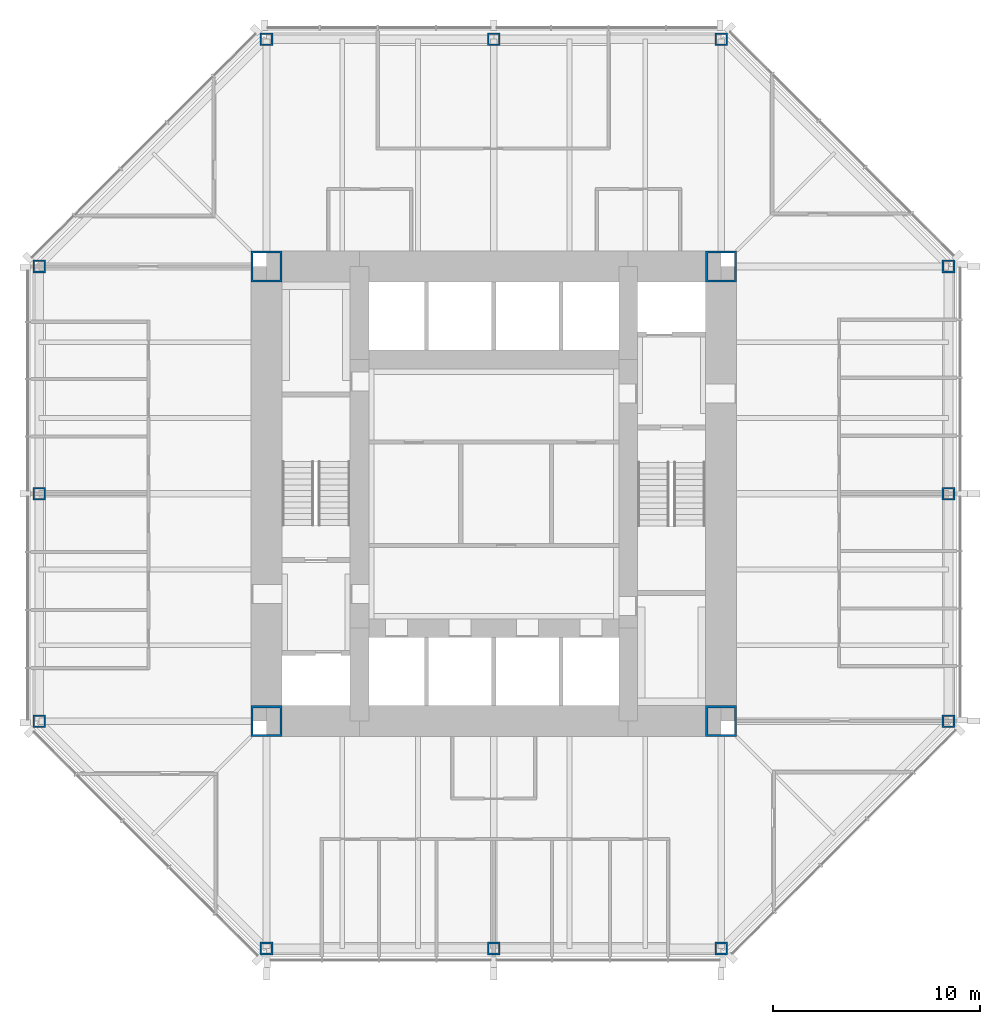
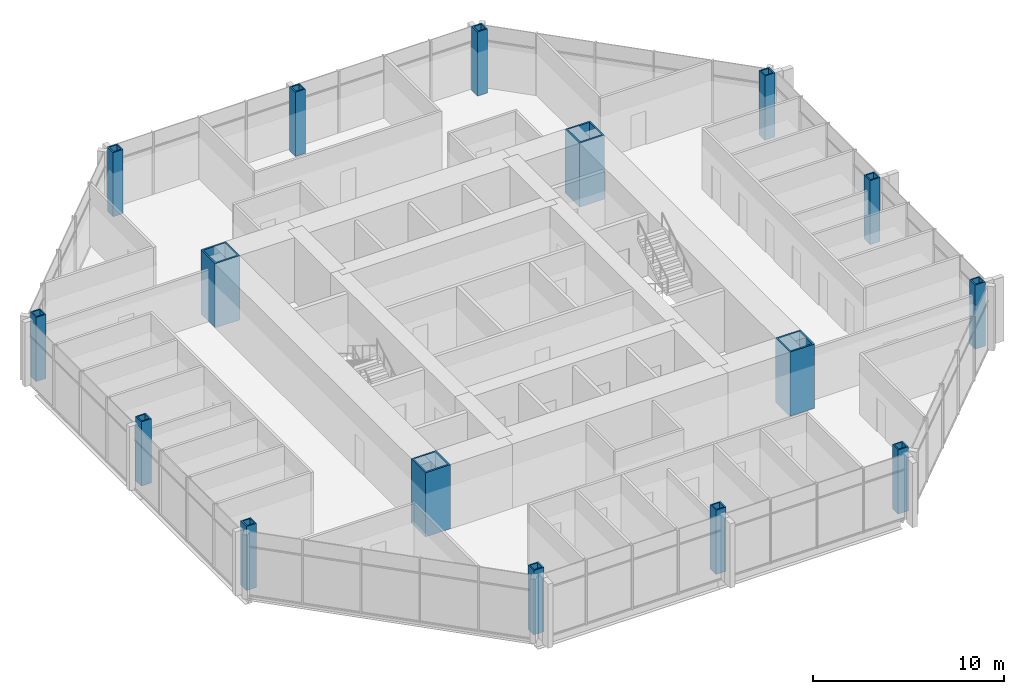
# One storey, part 1 of 12: 16 columns.
"""IFC4 building model written with IfcOpenShell, lengths in metres."""

from ifc_helpers import new_model, si_unit, direction, frame, origin, origin_2d, place, context, subcontext, project, spatial, hollow_rectangle, extrude, material, material_profile, profile_set, type_object, element, save


model = new_model("IFC4")

# Units and contexts
model_context = context("Model", 3, precision=1e-05, world=origin(), true_north=direction((0.0, 1.0)))
body_context = subcontext(model_context, "Body", "Model", "MODEL_VIEW")
ifc_project = project(units=[si_unit("LENGTHUNIT", "METRE"), si_unit("AREAUNIT", "SQUARE_METRE"), si_unit("VOLUMEUNIT", "CUBIC_METRE"), si_unit("PLANEANGLEUNIT", "RADIAN"), si_unit("MASSUNIT", "GRAM", prefix="KILO")], contexts=[model_context])

# Site, building, storey
site_placement = place(None, origin())
site = spatial("IfcSite", under=ifc_project, at=site_placement, CompositionType="ELEMENT")
building_placement = place(site_placement, origin())
building = spatial("IfcBuilding", under=site, at=building_placement, Name="Trevanion Tower", CompositionType="ELEMENT")
storey_placement = place(building_placement, frame((0.0, 0.0, 174.60009765625)))
storey = spatial("IfcBuildingStorey", under=building, at=storey_placement, Name="L41", CompositionType="ELEMENT", Elevation=174.60009765625)

# Columns
ifc_material_1 = material(Name="Steel ASTM A572 Grade 50", Category="steel")
ifc_material_profile_1 = material_profile(ifc_material_1, hollow_rectangle(XDim=0.609619140625, YDim=0.609619140625, WallThickness=0.076171875, at=origin_2d()), Name="BOX24X24X3")
ifc_profile_set_1 = profile_set([ifc_material_profile_1], Name="Steel ASTM A572 Grade 50")
column_type_1 = type_object("IfcColumnType", Name="C4 BOX24X24X3", PredefinedType="COLUMN", material=ifc_profile_set_1)
for number, where, z_axis, x_axis, name in (
    (1, (-22.0, 0.0, 0.0), (0.0, 0.0, 1.0), (0.0, 1.0, 0.0), "C4 4/H L41"),
    (2, (-22.0, -11.0, 0.0), (0.0, 0.0, 1.0), (0.0, 1.0, 0.0), "C4 4/F L41"),
    (3, (-11.0, -22.0, 0.0), (0.0, 0.0, 1.0), (1.0, 0.0, 0.0), "C4 8/B L41"),
    (4, (0.0, -22.0, 0.0), (0.0, 0.0, 1.0), (1.0, 0.0, 0.0), "C4 10/B L41"),
    (5, (11.0, -22.0, 0.0), (0.0, 0.0, 1.0), (1.0, 0.0, 0.0), "C4 12/B L41"),
    (6, (22.0, -11.0, 0.0), (0.0, 0.0, 1.0), (0.0, 1.0, 0.0), "C4 16/F L41"),
    (7, (22.0, 0.0, 0.0), (0.0, 0.0, 1.0), (0.0, 1.0, 0.0), "C4 16/H L41"),
    (8, (22.0, 11.0, 0.0), (0.0, 0.0, 1.0), (0.0, 1.0, 0.0), "C4 16/K L41"),
    (9, (11.0, 22.0, 0.0), (0.0, 0.0, 1.0), (1.0, 0.0, 0.0), "C4 12/P L41"),
    (10, (0.0, 22.0, 0.0), (0.0, 0.0, 1.0), (1.0, 0.0, 0.0), "C4 10/P L41"),
    (11, (-11.0, 22.0, 0.0), (0.0, 0.0, 1.0), (1.0, 0.0, 0.0), "C4 8/P L41"),
    (12, (-22.0, 11.0, 0.0), (0.0, 0.0, 1.0), (0.0, 1.0, 0.0), "C4 4/K L41"),
):
    element("IfcColumn", number, at=place(storey_placement, frame(where, z_axis=z_axis, x_axis=x_axis)), inside=storey, type_object=column_type_1, Name=name, PredefinedType="COLUMN", context=body_context, shape_type="SweptSolid", body=[
        extrude(hollow_rectangle(XDim=0.609619140625, YDim=0.609619140625, WallThickness=0.076171875, at=origin_2d()), origin(), (0.0, 0.0, 1.0), 4.099853515625),
    ])
ifc_material_2 = material(Name="Steel ASTM A572 Grade 50", Category="steel")
ifc_material_profile_2 = material_profile(ifc_material_2, hollow_rectangle(XDim=1.49853515625, YDim=1.49853515625, WallThickness=0.1015625, at=origin_2d()), Name="BOX59X59X4")
ifc_profile_set_2 = profile_set([ifc_material_profile_2], Name="Steel ASTM A572 Grade 50")
column_type_2 = type_object("IfcColumnType", Name="CB1 BOX59X59X4", PredefinedType="COLUMN", material=ifc_profile_set_2)
for number, where, z_axis, x_axis, name in (
    (13, (11.0, 11.0, 0.0), (0.0, 0.0, 1.0), (1.0, 0.0, 0.0), "CB1 NE L41"),
    (14, (-11.0, 11.0, 0.0), (0.0, 0.0, 1.0), (1.0, 0.0, 0.0), "CB1 NW L41"),
    (15, (-11.0, -11.0, 0.0), (0.0, 0.0, 1.0), (1.0, 0.0, 0.0), "CB1 SW L41"),
    (16, (11.0, -11.0, 0.0), (0.0, 0.0, 1.0), (1.0, 0.0, 0.0), "CB1 SE L41"),
):
    element("IfcColumn", number, at=place(storey_placement, frame(where, z_axis=z_axis, x_axis=x_axis)), inside=storey, type_object=column_type_2, Name=name, PredefinedType="COLUMN", context=body_context, shape_type="SweptSolid", body=[
        extrude(hollow_rectangle(XDim=1.49853515625, YDim=1.49853515625, WallThickness=0.1015625, at=origin_2d()), origin(), (0.0, 0.0, 1.0), 4.099853515625),
    ])

save(model, "model.ifc")
